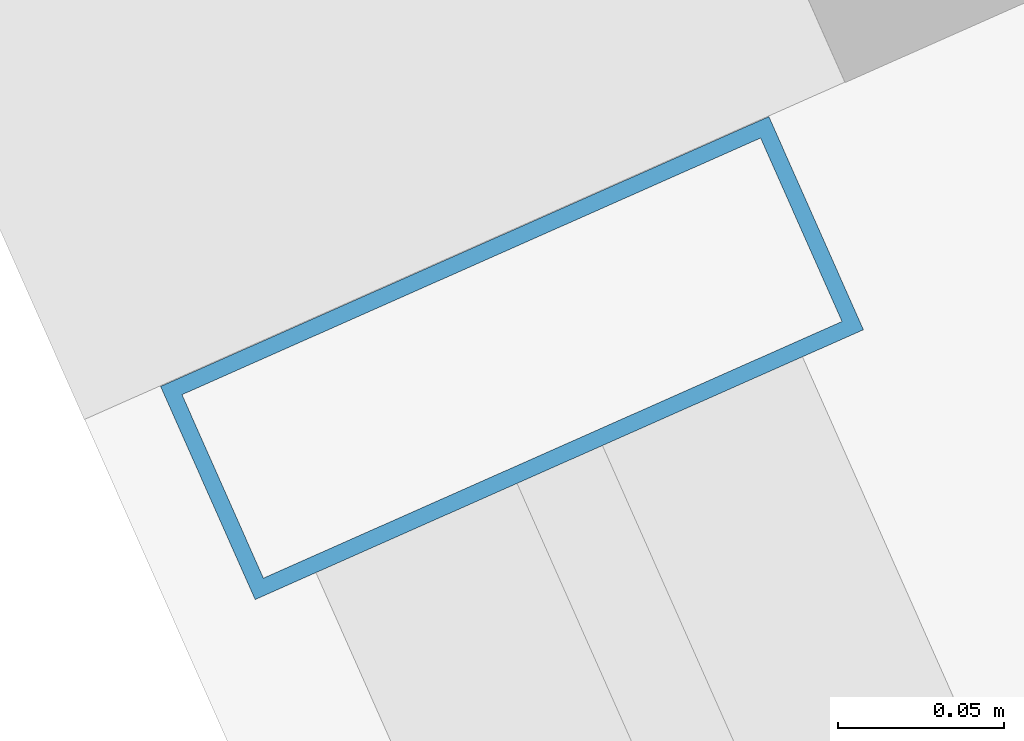
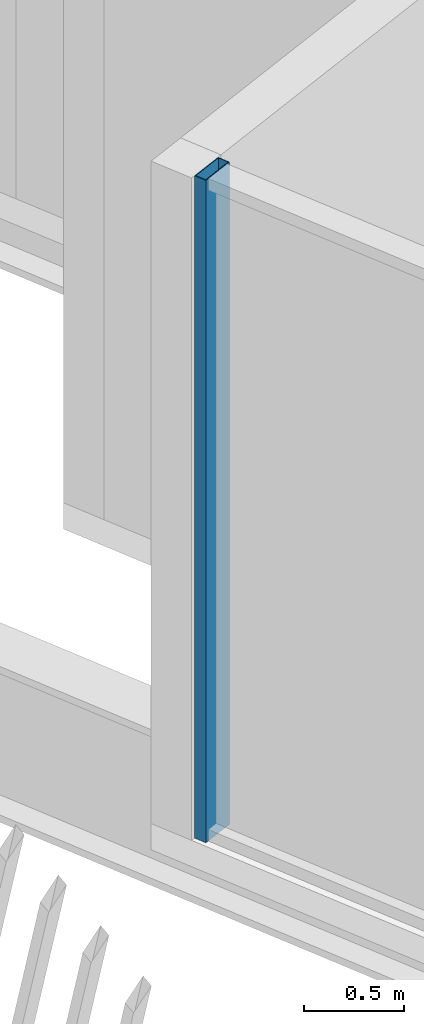
# One storey, part 6 of 28: 1 member, 1 element without a shape of its own.
"""IFC4 building model written with IfcOpenShell, lengths in metres."""

from ifc_helpers import new_model, si_unit, direction, frame, origin, origin_2d, place, context, subcontext, project, spatial, hollow_rectangle, extrude, material, layer, layer_set, material_profile, profile_set, type_object, element, aggregate, save


model = new_model("IFC4")

# Units and contexts
model_context = context("Model", 3, precision=1e-05, world=origin(), true_north=direction((0.0, 1.0)))
body_context = subcontext(model_context, "Body", "Model", "MODEL_VIEW")
ifc_project = project(units=[si_unit("LENGTHUNIT", "METRE"), si_unit("AREAUNIT", "SQUARE_METRE"), si_unit("VOLUMEUNIT", "CUBIC_METRE"), si_unit("PLANEANGLEUNIT", "RADIAN"), si_unit("MASSUNIT", "GRAM", prefix="KILO")], contexts=[model_context])

# Site, building, storey
site_placement = place(None, origin())
site = spatial("IfcSite", under=ifc_project, at=site_placement, CompositionType="ELEMENT")
building_placement = place(site_placement, origin())
building = spatial("IfcBuilding", under=site, at=building_placement, Name="Tarsis Ring Headquarters", CompositionType="ELEMENT")
storey_placement = place(building_placement, frame((0.0, 0.0, 381.800048828125)))
storey = spatial("IfcBuildingStorey", under=building, at=storey_placement, Name="L90", CompositionType="ELEMENT", Elevation=381.800048828125)

# Curtain wall, member
ifc_material_1 = material(Name="Aluminium curtain wall", Category="aluminium")
ifc_layer = layer(ifc_material_1, 0.199951171875)
ifc_layer_set = layer_set([ifc_layer], Name="Curtain wall executive tip")
curtain_wall_type = type_object("IfcCurtainWallType", Name="Curtain wall executive tip", PredefinedType="NOTDEFINED", material=ifc_layer_set)
curtain_wall_placement = place(storey_placement, origin())
curtain_wall = element("IfcCurtainWall", 1, at=curtain_wall_placement, inside=storey, type_object=curtain_wall_type, Name="Curtain wall L90-36", PredefinedType="NOTDEFINED")
ifc_material_2 = material(Name="Aluminium mullion", Category="aluminium")
ifc_material_profile = material_profile(ifc_material_2, hollow_rectangle(XDim=0.199951171875, YDim=0.070068359375, WallThickness=0.0048828125, at=origin_2d()), Name="RHS 200x70x5")
ifc_profile_set = profile_set([ifc_material_profile], Name="Aluminium mullion")
member_type = type_object("IfcMemberType", Name="Curtain wall mullion executive tip RHS 200x70x5", PredefinedType="MULLION", material=ifc_profile_set)
member_placement = place(storey_placement, frame((-39.578369140625, -9.115478515625, 0.0), z_axis=(0.0, 0.0, 1.0), x_axis=(0.914112445397, 0.405460771432, 0.0)))
member = element("IfcMember", 2, at=member_placement, type_object=member_type, Name="CW-E mullion 1", PredefinedType="MULLION", context=body_context, shape_type="SweptSolid", body=[
    extrude(hollow_rectangle(XDim=0.199951171875, YDim=0.070068359375, WallThickness=0.0048828125, at=origin_2d()), origin(), (0.0, 0.0, 1.0), 4.0400390625),
])
aggregate(curtain_wall, [member])

save(model, "model.ifc")
